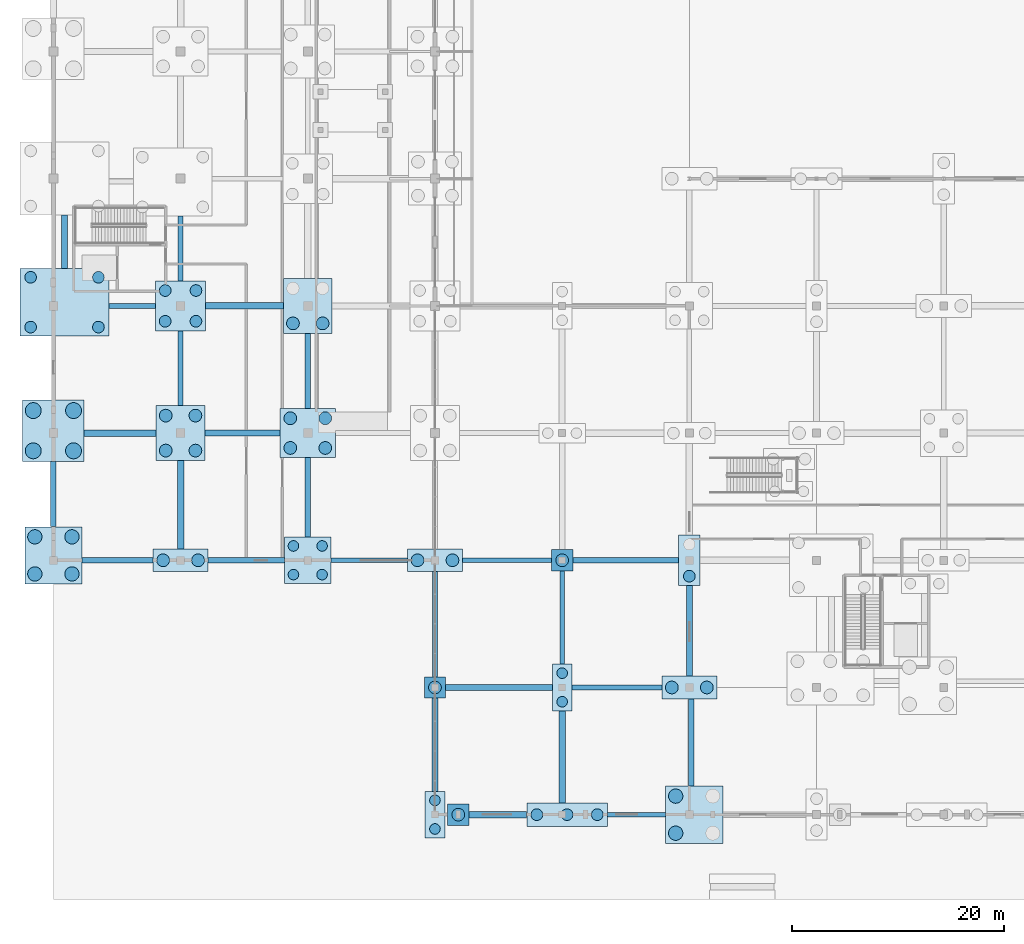
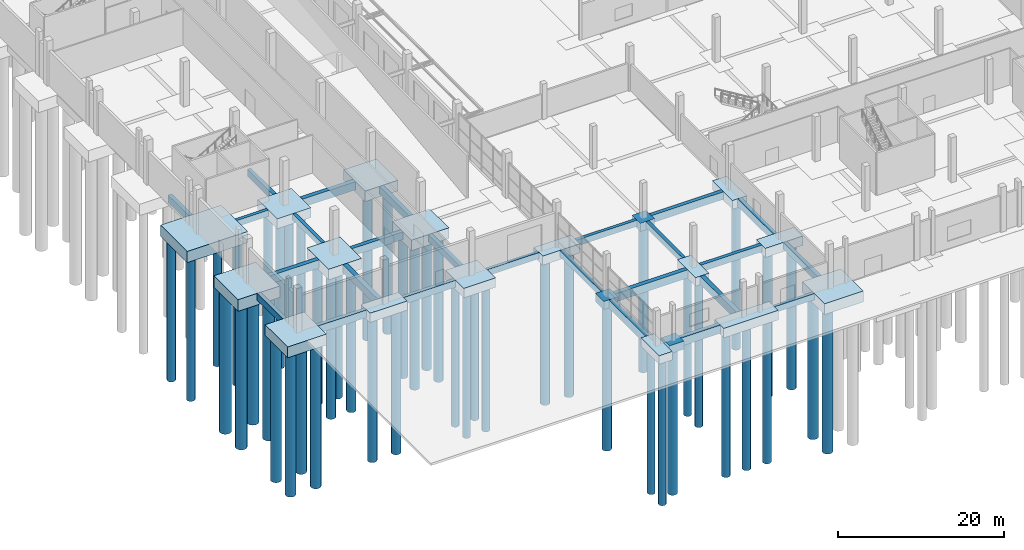
# One storey, part 1 of 117: 49 piles, 45 footings.
"""IFC4 building model written with IfcOpenShell, lengths in metres."""

import ifcopenshell
import ifcopenshell.guid

model = None  # the IFC model being written
_history = None  # IfcOwnerHistory: only IFC2X3 demands one
_inside = {}  # id of a spatial element -> (the spatial element, [elements in it])
_under = {}  # id of a project, library or spatial element -> (it, [spatial elements below it])
_declared = {}  # id of a project -> (the project, [libraries it declares])
_typed = {}  # id of a type object -> (the type object, [elements of that type])
_made_of = {}  # id of a material, layer set ... -> (it, [elements and type objects made of it])


def new_model(schema):
    """Start an empty IFC model of exactly this schema.

    Asked for "IFC4X3", IfcOpenShell would pick the latest addendum, in which some entities
    have other attributes; the version numbers below select the first issue.
    IFC2X3 requires an IfcOwnerHistory on every rooted entity: one is made here for all.
    """
    global model, _history
    if schema == "IFC4X3":
        model = ifcopenshell.file(schema_version=(4, 3, 0, 0))
    else:
        model = ifcopenshell.file(schema=schema)
    _inside.clear()
    _under.clear()
    _declared.clear()
    _typed.clear()
    _made_of.clear()
    _history = None
    if model.schema == "IFC2X3":
        org = make("IfcOrganization", Name="unknown")
        user = make(
            "IfcPersonAndOrganization",
            ThePerson=make("IfcPerson", FamilyName="unknown"),
            TheOrganization=org,
        )
        app = make(
            "IfcApplication",
            ApplicationDeveloper=org,
            Version="unknown",
            ApplicationFullName="unknown",
            ApplicationIdentifier="unknown",
        )
        _history = make(
            "IfcOwnerHistory",
            OwningUser=user,
            OwningApplication=app,
            ChangeAction="ADDED",
            CreationDate=0,
        )
    return model


def make(cls, **values):
    """One entity of the class cls with the attributes given. An attribute that is None is left unset."""
    return model.create_entity(
        cls, **{name: value for name, value in values.items() if value is not None}
    )


def rooted(cls, **values):
    """An entity with a GlobalId (a new one), such as an element, a storey or a relation."""
    return make(cls, GlobalId=ifcopenshell.guid.new(), OwnerHistory=_history, **values)


def si_unit(unit_type, name, prefix=None):
    """IfcSIUnit, for example si_unit("LENGTHUNIT", "METRE", prefix="MILLI")."""
    return make("IfcSIUnit", UnitType=unit_type, Prefix=prefix, Name=name)


def assignment(units):
    """IfcUnitAssignment: the units of a project."""
    return None if units is None else make("IfcUnitAssignment", Units=units)


def point(xyz):
    """IfcCartesianPoint."""
    return None if xyz is None else make("IfcCartesianPoint", Coordinates=xyz)


def direction(xyz):
    """IfcDirection."""
    return None if xyz is None else make("IfcDirection", DirectionRatios=xyz)


def frame(location, z_axis=None, x_axis=None):
    """IfcAxis2Placement3D, a coordinate frame: its origin and axes. An axis left out is left unset."""
    return make(
        "IfcAxis2Placement3D",
        Location=point(location),
        Axis=direction(z_axis),
        RefDirection=direction(x_axis),
    )


def frame_2d(location, x_axis=None):
    """IfcAxis2Placement2D, a coordinate frame in the plane: its origin and x axis."""
    return make(
        "IfcAxis2Placement2D", Location=point(location), RefDirection=direction(x_axis)
    )


def origin():
    """The frame at (0, 0, 0) with its axes left unset."""
    return frame((0.0, 0.0, 0.0))


def origin_2d():
    """The frame at (0, 0) in the plane with its x axis left unset."""
    return frame_2d((0.0, 0.0))


def place(relative_to, where):
    """IfcLocalPlacement: puts the frame where relative to a parent placement (None: the world)."""
    return make(
        "IfcLocalPlacement", PlacementRelTo=relative_to, RelativePlacement=where
    )


def context(
    kind, dimensions, precision=None, world=None, true_north=None, identifier=None
):
    """IfcGeometricRepresentationContext, for example the 3D "Model" context."""
    return make(
        "IfcGeometricRepresentationContext",
        ContextIdentifier=identifier,
        ContextType=kind,
        CoordinateSpaceDimension=dimensions,
        Precision=precision,
        WorldCoordinateSystem=world,
        TrueNorth=true_north,
    )


def subcontext(parent, identifier, kind, view, scale=None):
    """IfcGeometricRepresentationSubContext, for example "Body" below "Model"."""
    return make(
        "IfcGeometricRepresentationSubContext",
        ContextIdentifier=identifier,
        ContextType=kind,
        ParentContext=parent,
        TargetScale=scale,
        TargetView=view,
    )


def project(units=None, contexts=None):
    """IfcProject with its units and contexts."""
    return rooted(
        "IfcProject",
        Name="project",
        RepresentationContexts=contexts,
        UnitsInContext=assignment(units),
    )


def spatial(cls, under=None, at=None, **own):
    """A site, building, storey or space (cls), placed at a placement, below another one or the project."""
    s = rooted(cls, ObjectPlacement=at, **own)
    if under is not None:
        _under.setdefault(under.id(), (under, []))[1].append(s)
    return s


def profile(cls, at=None, kind="AREA", **sizes):
    """A parametric profile (cls). Its sizes go by their IFC names, for example OverallWidth=200.0."""
    return make(cls, ProfileType=kind, Position=at, **sizes)


def rectangle(**sizes):
    """IfcRectangleProfileDef."""
    return profile("IfcRectangleProfileDef", **sizes)


def circle(**sizes):
    """IfcCircleProfileDef."""
    return profile("IfcCircleProfileDef", **sizes)


def extrude(swept, where, along, depth):
    """IfcExtrudedAreaSolid: the profile swept, set in the frame where, extruded along a direction by depth."""
    return make(
        "IfcExtrudedAreaSolid",
        SweptArea=swept,
        Position=where,
        ExtrudedDirection=direction(along),
        Depth=depth,
    )


def shape(context_of_items, identifier, shape_type, items):
    """IfcShapeRepresentation: the items that make up one representation, for example the "Body"."""
    return make(
        "IfcShapeRepresentation",
        ContextOfItems=context_of_items,
        RepresentationIdentifier=identifier,
        RepresentationType=shape_type,
        Items=items,
    )


def material(Name=None, Category=None):
    """IfcMaterial."""
    return make("IfcMaterial", Name=Name, Category=Category)


def material_profile(
    of_material, cross_section, Name=None, Category=None, Priority=None
):
    """IfcMaterialProfile: a cross section and its material."""
    return make(
        "IfcMaterialProfile",
        Name=Name,
        Material=of_material,
        Profile=cross_section,
        Priority=Priority,
        Category=Category,
    )


def profile_set(profiles, Name=None, composite=None):
    """IfcMaterialProfileSet."""
    return make(
        "IfcMaterialProfileSet",
        Name=Name,
        MaterialProfiles=profiles,
        CompositeProfile=composite,
    )


def made_of(thing, what):
    """Note that an element or type object is made of a material, layer set ...; save() writes the relation."""
    if what is not None:
        _made_of.setdefault(what.id(), (what, []))[1].append(thing)
    return thing


def type_object(cls, material=None, **own):
    """A type object (cls), such as IfcWallType, which elements share."""
    return made_of(rooted(cls, **own), material)


def element(
    cls,
    number,
    at=None,
    inside=None,
    cuts=None,
    type_object=None,
    material=None,
    context=None,
    identifier="Body",
    shape_type=None,
    held_by="IfcProductDefinitionShape",
    body=None,
    shapes=None,
    **own,
):
    """One element of the class cls, such as IfcWall. Its Tag is "e" and its number.

    at: its placement. inside: the storey or other place that contains it. cuts: it is an
    opening in that element (IfcRelVoidsElement). A single representation is given by context,
    identifier, shape_type and body (its items); several are given by shapes. held_by: the class
    of the entity that holds the representations. save() writes the other relations.
    """
    e = rooted(cls, Tag="e%d" % number, ObjectPlacement=at, **own)
    if body is not None:
        shapes = [shape(context, identifier, shape_type, body)]
    if shapes is not None:
        e.Representation = make(held_by, Representations=shapes)
    if inside is not None:
        _inside.setdefault(inside.id(), (inside, []))[1].append(e)
    if cuts is not None:
        rooted(
            "IfcRelVoidsElement", RelatingBuildingElement=cuts, RelatedOpeningElement=e
        )
    if type_object is not None:
        _typed.setdefault(type_object.id(), (type_object, []))[1].append(e)
    return made_of(e, material)


def aggregate(whole, parts):
    """IfcRelAggregates: a whole, such as a stair, and the parts it consists of."""
    return rooted("IfcRelAggregates", RelatingObject=whole, RelatedObjects=parts)


def save(model, path):
    """Write the relations noted so far, then the file.

    IfcRelAggregates (storeys below a building ...), IfcRelContainedInSpatialStructure (elements
    in a storey), IfcRelDefinesByType, IfcRelAssociatesMaterial and IfcRelDeclares: one each for
    every whole, place, type object, material and project.
    """
    for whole, parts in _under.values():
        aggregate(whole, parts)
    for where, things in _inside.values():
        rooted(
            "IfcRelContainedInSpatialStructure",
            RelatedElements=things,
            RelatingStructure=where,
        )
    for kind, things in _typed.values():
        rooted("IfcRelDefinesByType", RelatedObjects=things, RelatingType=kind)
    for what, things in _made_of.values():
        rooted("IfcRelAssociatesMaterial", RelatedObjects=things, RelatingMaterial=what)
    for by, libraries in _declared.values():
        rooted("IfcRelDeclares", RelatingContext=by, RelatedDefinitions=libraries)
    model.write(path)


model = new_model("IFC4")

# Units and contexts
model_context = context("Model", 3, precision=1e-05, world=origin(), true_north=direction((0.0, 1.0)))
body_context = subcontext(model_context, "Body", "Model", "MODEL_VIEW")
ifc_project = project(units=[si_unit("LENGTHUNIT", "METRE"), si_unit("AREAUNIT", "SQUARE_METRE"), si_unit("VOLUMEUNIT", "CUBIC_METRE"), si_unit("PLANEANGLEUNIT", "RADIAN"), si_unit("MASSUNIT", "GRAM", prefix="KILO")], contexts=[model_context])

# Site, building, storey
site_placement = place(None, origin())
site = spatial("IfcSite", under=ifc_project, at=site_placement, CompositionType="ELEMENT")
building_placement = place(site_placement, origin())
building = spatial("IfcBuilding", under=site, at=building_placement, Name="Kamomehara Wholesale Market", CompositionType="ELEMENT")
storey_placement = place(building_placement, origin())
storey = spatial("IfcBuildingStorey", under=building, at=storey_placement, Name="L00", CompositionType="ELEMENT", Elevation=0.0)

# Footings
ifc_material_1 = material(Name="Concrete Fc30 (C30/37)", Category="concrete")
footing_type_1 = type_object("IfcFootingType", Name="CAP-1P-2000", PredefinedType="PILE_CAP", material=ifc_material_1)
for number, where, z_axis, x_axis, name in (
    (1, (36.0, 24.0, -1.2001953125), (0.0, 0.0, 1.0), (1.0, 0.0, 0.0), "Pile cap PC-03"),
    (2, (38.199951171875, 12.0, -1.2001953125), (0.0, 0.0, 1.0), (1.0, 0.0, 0.0), "Pile cap PC-03"),
    (3, (48.0, 36.0, -1.2001953125), (0.0, 0.0, 1.0), (1.0, 0.0, 0.0), "Pile cap PC-03"),
):
    element("IfcFooting", number, at=place(storey_placement, frame(where, z_axis=z_axis, x_axis=x_axis)), inside=storey, type_object=footing_type_1, Name=name, PredefinedType="PILE_CAP", context=body_context, shape_type="SweptSolid", body=[
        extrude(rectangle(XDim=2.0, YDim=2.0, at=origin_2d()), origin(), (0.0, 0.0, 1.0), 1.199951171875),
    ])
ifc_material_2 = material(Name="Concrete Fc30 (C30/37)", Category="concrete")
footing_type_2 = type_object("IfcFootingType", Name="CAP-2PX-5200", PredefinedType="PILE_CAP", material=ifc_material_2)
for number, where, z_axis, x_axis, name in (
    (4, (12.0, 36.0, -1.35009765625), (0.0, 0.0, 1.0), (1.0, 0.0, 0.0), "Pile cap PC-08"),
    (5, (36.0, 36.0, -1.35009765625), (0.0, 0.0, 1.0), (1.0, 0.0, 0.0), "Pile cap PC-08"),
    (6, (60.0, 24.0, -1.35009765625), (0.0, 0.0, 1.0), (1.0, 0.0, 0.0), "Pile cap PC-08"),
):
    element("IfcFooting", number, at=place(storey_placement, frame(where, z_axis=z_axis, x_axis=x_axis)), inside=storey, type_object=footing_type_2, Name=name, PredefinedType="PILE_CAP", context=body_context, shape_type="SweptSolid", body=[
        extrude(rectangle(XDim=5.199951171875, YDim=2.14990234375, at=origin_2d()), origin(), (0.0, 0.0, 1.0), 1.35009765625),
    ])
ifc_material_3 = material(Name="Concrete Fc30 (C30/37)", Category="concrete")
footing_type_3 = type_object("IfcFootingType", Name="CAP-2PY-4400", PredefinedType="PILE_CAP", material=ifc_material_3)
for number, where, z_axis, x_axis, name in (
    (7, (36.0, 12.0, -1.25), (0.0, 0.0, 1.0), (1.0, 0.0, 0.0), "Pile cap PC-05"),
    (8, (48.0, 24.0, -1.25), (0.0, 0.0, 1.0), (1.0, 0.0, 0.0), "Pile cap PC-05"),
):
    element("IfcFooting", number, at=place(storey_placement, frame(where, z_axis=z_axis, x_axis=x_axis)), inside=storey, type_object=footing_type_3, Name=name, PredefinedType="PILE_CAP", context=body_context, shape_type="SweptSolid", body=[
        extrude(rectangle(XDim=1.85009765625, YDim=4.39990234375, at=origin_2d()), origin(), (0.0, 0.0, 1.0), 1.25),
    ])
ifc_material_4 = material(Name="Concrete Fc30 (C30/37)", Category="concrete")
footing_type_4 = type_object("IfcFootingType", Name="CAP-2PY-4800", PredefinedType="PILE_CAP", material=ifc_material_4)
footing_1_placement = place(storey_placement, frame((60.0, 36.0, -1.2998046875), z_axis=(0.0, 0.0, 1.0), x_axis=(1.0, 0.0, 0.0)))
element("IfcFooting", 9, at=footing_1_placement, inside=storey, type_object=footing_type_4, Name="Pile cap PC-07", PredefinedType="PILE_CAP", context=body_context, shape_type="SweptSolid", body=[
    extrude(rectangle(XDim=2.0, YDim=4.800048828125, at=origin_2d()), origin(), (0.0, 0.0, 1.0), 1.300048828125),
])
ifc_material_5 = material(Name="Concrete Fc30 (C30/37)", Category="concrete")
footing_type_5 = type_object("IfcFootingType", Name="CAP-3PX-7600", PredefinedType="PILE_CAP", material=ifc_material_5)
footing_2_placement = place(storey_placement, frame((48.4619140625, 12.0, -1.39990234375), z_axis=(0.0, 0.0, 1.0), x_axis=(1.0, 0.0, 0.0)))
element("IfcFooting", 10, at=footing_2_placement, inside=storey, type_object=footing_type_5, Name="Pile cap PC-09", PredefinedType="PILE_CAP", context=body_context, shape_type="SweptSolid", body=[
    extrude(rectangle(XDim=7.60009765625, YDim=2.199951171875, at=origin_2d()), origin(), (0.0, 0.0, 1.0), 1.39990234375),
])
ifc_material_6 = material(Name="Concrete Fc30 (C30/37)", Category="concrete")
footing_type_6 = type_object("IfcFootingType", Name="CAP-4P-4400", PredefinedType="PILE_CAP", material=ifc_material_6)
footing_3_placement = place(storey_placement, frame((24.0, 36.0, -1.39990234375), z_axis=(0.0, 0.0, 1.0), x_axis=(1.0, 0.0, 0.0)))
element("IfcFooting", 11, at=footing_3_placement, inside=storey, type_object=footing_type_6, Name="Pile cap PC-10", PredefinedType="PILE_CAP", context=body_context, shape_type="SweptSolid", body=[
    extrude(rectangle(XDim=4.39990234375, YDim=4.39990234375, at=origin_2d()), origin(), (0.0, 0.0, 1.0), 1.39990234375),
])
ifc_material_7 = material(Name="Concrete Fc30 (C30/37)", Category="concrete")
footing_type_7 = type_object("IfcFootingType", Name="CAP-4P-4700", PredefinedType="PILE_CAP", material=ifc_material_7)
footing_4_placement = place(storey_placement, frame((12.0, 60.0, -1.4501953125), z_axis=(0.0, 0.0, 1.0), x_axis=(1.0, 0.0, 0.0)))
element("IfcFooting", 12, at=footing_4_placement, inside=storey, type_object=footing_type_7, Name="Pile cap PC-11", PredefinedType="PILE_CAP", context=body_context, shape_type="SweptSolid", body=[
    extrude(rectangle(XDim=4.699951171875, YDim=4.699951171875, at=origin_2d()), origin(), (0.0, 0.0, 1.0), 1.449951171875),
])
ifc_material_8 = material(Name="Concrete Fc30 (C30/37)", Category="concrete")
footing_type_8 = type_object("IfcFootingType", Name="CAP-4P-5400", PredefinedType="PILE_CAP", material=ifc_material_8)
for number, where, z_axis, x_axis, name in (
    (13, (0.0, 36.4619140625, -1.60009765625), (0.0, 0.0, 1.0), (1.0, 0.0, 0.0), "Pile cap PC-13"),
    (14, (60.4619140625, 12.0, -1.60009765625), (0.0, 0.0, 1.0), (1.0, 0.0, 0.0), "Pile cap PC-13"),
):
    element("IfcFooting", number, at=place(storey_placement, frame(where, z_axis=z_axis, x_axis=x_axis)), inside=storey, type_object=footing_type_8, Name=name, PredefinedType="PILE_CAP", context=body_context, shape_type="SweptSolid", body=[
        extrude(rectangle(XDim=5.39990234375, YDim=5.39990234375, at=origin_2d()), origin(), (0.0, 0.0, 1.0), 1.60009765625),
    ])
ifc_material_9 = material(Name="Concrete Fc30 (C30/37)", Category="concrete")
footing_type_9 = type_object("IfcFootingType", Name="CAP-4P-5800", PredefinedType="PILE_CAP", material=ifc_material_9)
footing_5_placement = place(storey_placement, frame((0.0, 48.22509765625, -1.7001953125), z_axis=(0.0, 0.0, 1.0), x_axis=(1.0, 0.0, 0.0)))
element("IfcFooting", 15, at=footing_5_placement, inside=storey, type_object=footing_type_9, Name="Pile cap PC-14", PredefinedType="PILE_CAP", context=body_context, shape_type="SweptSolid", body=[
    extrude(rectangle(XDim=5.800048828125, YDim=5.800048828125, at=origin_2d()), origin(), (0.0, 0.0, 1.0), 1.699951171875),
])
ifc_material_10 = material(Name="Concrete Fc30 (C30/37)", Category="concrete")
footing_type_10 = type_object("IfcFootingType", Name="CAP-4PR-4600", PredefinedType="PILE_CAP", material=ifc_material_10)
for number, where, z_axis, x_axis, name in (
    (16, (12.0, 48.0, -1.5498046875), (0.0, 0.0, 1.0), (1.0, 0.0, 0.0), "Pile cap PC-16"),
    (17, (24.0, 60.0, -1.5498046875), (0.0, 0.0, 1.0), (1.0, 0.0, 0.0), "Pile cap PC-16"),
):
    element("IfcFooting", number, at=place(storey_placement, frame(where, z_axis=z_axis, x_axis=x_axis)), inside=storey, type_object=footing_type_10, Name=name, PredefinedType="PILE_CAP", context=body_context, shape_type="SweptSolid", body=[
        extrude(rectangle(XDim=4.60009765625, YDim=5.199951171875, at=origin_2d()), origin(), (0.0, 0.0, 1.0), 1.550048828125),
    ])
ifc_material_11 = material(Name="Concrete Fc30 (C30/37)", Category="concrete")
footing_type_11 = type_object("IfcFootingType", Name="CAP-4PR-5200", PredefinedType="PILE_CAP", material=ifc_material_11)
footing_6_placement = place(storey_placement, frame((24.0, 48.0, -1.5498046875), z_axis=(0.0, 0.0, 1.0), x_axis=(1.0, 0.0, 0.0)))
element("IfcFooting", 18, at=footing_6_placement, inside=storey, type_object=footing_type_11, Name="Pile cap PC-15", PredefinedType="PILE_CAP", context=body_context, shape_type="SweptSolid", body=[
    extrude(rectangle(XDim=5.199951171875, YDim=4.60009765625, at=origin_2d()), origin(), (0.0, 0.0, 1.0), 1.550048828125),
])
ifc_material_12 = material(Name="Concrete Fc30 (C30/37)", Category="concrete")
footing_type_12 = type_object("IfcFootingType", Name="CAP-CMB-840x640", PredefinedType="PILE_CAP", material=ifc_material_12)
footing_7_placement = place(storey_placement, frame((1.050048828125, 60.35009765625, -1.64990234375), z_axis=(0.0, 0.0, 1.0), x_axis=(1.0, 0.0, 0.0)))
element("IfcFooting", 19, at=footing_7_placement, inside=storey, type_object=footing_type_12, Name="Pile cap PCC-84x64", PredefinedType="PILE_CAP", context=body_context, shape_type="SweptSolid", body=[
    extrude(rectangle(XDim=8.39990234375, YDim=6.39990234375, at=origin_2d()), origin(), (0.0, 0.0, 1.0), 1.64990234375),
])
ifc_material_13 = material(Name="Concrete Fc30 (C30/37)", Category="concrete")
ifc_material_profile_1 = material_profile(ifc_material_13, rectangle(XDim=0.449951171875, YDim=0.89990234375, at=origin_2d()), Name="RC-FTB-450x900")
ifc_profile_set_1 = profile_set([ifc_material_profile_1], Name="Concrete Fc30 (C30/37)")
footing_type_13 = type_object("IfcFootingType", Name="FTB-450x900", PredefinedType="FOOTING_BEAM", material=ifc_profile_set_1)
footing_8_placement = place(storey_placement, frame((5.251953125, 60.0, -0.449951171875), z_axis=(1.0, 0.0, 0.0), x_axis=(0.0, 1.0, 0.0)))
element("IfcFooting", 20, at=footing_8_placement, inside=storey, type_object=footing_type_13, Name="Foundation tie beam 3", PredefinedType="FOOTING_BEAM", context=body_context, shape_type="SweptSolid", body=[
    extrude(rectangle(XDim=0.449951171875, YDim=0.89990234375, at=origin_2d()), origin(), (0.0, 0.0, 1.0), 4.39599609375),
])
footing_9_placement = place(storey_placement, frame((26.201904296875, 36.0, -0.449951171875), z_axis=(1.0, 0.0, 0.0), x_axis=(0.0, 1.0, 0.0)))
element("IfcFooting", 21, at=footing_9_placement, inside=storey, type_object=footing_type_13, Name="Foundation tie beam 23", PredefinedType="FOOTING_BEAM", context=body_context, shape_type="SweptSolid", body=[
    extrude(rectangle(XDim=0.449951171875, YDim=0.89990234375, at=origin_2d()), origin(), (0.0, 0.0, 1.0), 7.196044921875),
])
footing_10_placement = place(storey_placement, frame((38.60205078125, 36.0, -0.449951171875), z_axis=(1.0, 0.0, 0.0), x_axis=(0.0, 1.0, 0.0)))
element("IfcFooting", 22, at=footing_10_placement, inside=storey, type_object=footing_type_13, Name="Foundation tie beam 35", PredefinedType="FOOTING_BEAM", context=body_context, shape_type="SweptSolid", body=[
    extrude(rectangle(XDim=0.449951171875, YDim=0.89990234375, at=origin_2d()), origin(), (0.0, 0.0, 1.0), 8.39599609375),
])
footing_11_placement = place(storey_placement, frame((52.263916015625, 12.0, -0.449951171875), z_axis=(1.0, 0.0, 0.0), x_axis=(0.0, 1.0, 0.0)))
element("IfcFooting", 23, at=footing_11_placement, inside=storey, type_object=footing_type_13, Name="Foundation tie beam 43", PredefinedType="FOOTING_BEAM", context=body_context, shape_type="SweptSolid", body=[
    extrude(rectangle(XDim=0.449951171875, YDim=0.89990234375, at=origin_2d()), origin(), (0.0, 0.0, 1.0), 5.49609375),
])
footing_12_placement = place(storey_placement, frame((12.0, 50.60205078125, -0.449951171875), z_axis=(0.0, 1.0, 0.0), x_axis=(-1.0, 0.0, 0.0)))
element("IfcFooting", 24, at=footing_12_placement, inside=storey, type_object=footing_type_13, Name="Foundation tie beam 211", PredefinedType="FOOTING_BEAM", context=body_context, shape_type="SweptSolid", body=[
    extrude(rectangle(XDim=0.449951171875, YDim=0.89990234375, at=origin_2d()), origin(), (0.0, 0.0, 1.0), 7.0458984375),
])
footing_13_placement = place(storey_placement, frame((36.0, 25.001953125, -0.449951171875), z_axis=(0.0, 1.0, 0.0), x_axis=(-1.0, 0.0, 0.0)))
element("IfcFooting", 25, at=footing_13_placement, inside=storey, type_object=footing_type_13, Name="Foundation tie beam 231", PredefinedType="FOOTING_BEAM", context=body_context, shape_type="SweptSolid", body=[
    extrude(rectangle(XDim=0.449951171875, YDim=0.89990234375, at=origin_2d()), origin(), (0.0, 0.0, 1.0), 9.921142578125),
])
footing_14_placement = place(storey_placement, frame((48.0, 26.201904296875, -0.449951171875), z_axis=(0.0, 1.0, 0.0), x_axis=(-1.0, 0.0, 0.0)))
element("IfcFooting", 26, at=footing_14_placement, inside=storey, type_object=footing_type_13, Name="Foundation tie beam 243", PredefinedType="FOOTING_BEAM", context=body_context, shape_type="SweptSolid", body=[
    extrude(rectangle(XDim=0.449951171875, YDim=0.89990234375, at=origin_2d()), origin(), (0.0, 0.0, 1.0), 8.796142578125),
])
ifc_material_14 = material(Name="Concrete Fc30 (C30/37)", Category="concrete")
ifc_material_profile_2 = material_profile(ifc_material_14, rectangle(XDim=0.5, YDim=1.0, at=origin_2d()), Name="RC-FTB-500x1000")
ifc_profile_set_2 = profile_set([ifc_material_profile_2], Name="Concrete Fc30 (C30/37)")
footing_type_14 = type_object("IfcFootingType", Name="FTB-500x1000", PredefinedType="FOOTING_BEAM", material=ifc_profile_set_2)
footing_15_placement = place(storey_placement, frame((14.60205078125, 36.0, -0.5), z_axis=(1.0, 0.0, 0.0), x_axis=(0.0, 1.0, 0.0)))
element("IfcFooting", 27, at=footing_15_placement, inside=storey, type_object=footing_type_14, Name="Foundation tie beam 12", PredefinedType="FOOTING_BEAM", context=body_context, shape_type="SweptSolid", body=[
    extrude(rectangle(XDim=0.5, YDim=1.0, at=origin_2d()), origin(), (0.0, 0.0, 1.0), 7.196044921875),
])
footing_16_placement = place(storey_placement, frame((48.927001953125, 24.0, -0.5), z_axis=(1.0, 0.0, 0.0), x_axis=(0.0, 1.0, 0.0)))
element("IfcFooting", 28, at=footing_16_placement, inside=storey, type_object=footing_type_14, Name="Foundation tie beam 44", PredefinedType="FOOTING_BEAM", context=body_context, shape_type="SweptSolid", body=[
    extrude(rectangle(XDim=0.5, YDim=1.0, at=origin_2d()), origin(), (0.0, 0.0, 1.0), 8.470947265625),
])
footing_17_placement = place(storey_placement, frame((0.0, 39.1640625, -0.5), z_axis=(0.0, 1.0, 0.0), x_axis=(-1.0, 0.0, 0.0)))
element("IfcFooting", 29, at=footing_17_placement, inside=storey, type_object=footing_type_14, Name="Foundation tie beam 204", PredefinedType="FOOTING_BEAM", context=body_context, shape_type="SweptSolid", body=[
    extrude(rectangle(XDim=0.5, YDim=1.0, at=origin_2d()), origin(), (0.0, 0.0, 1.0), 6.158935546875),
])
footing_18_placement = place(storey_placement, frame((12.0, 62.35205078125, -0.5), z_axis=(0.0, 1.0, 0.0), x_axis=(-1.0, 0.0, 0.0)))
element("IfcFooting", 30, at=footing_18_placement, inside=storey, type_object=footing_type_14, Name="Foundation tie beam 212", PredefinedType="FOOTING_BEAM", context=body_context, shape_type="SweptSolid", body=[
    extrude(rectangle(XDim=0.5, YDim=1.0, at=origin_2d()), origin(), (0.0, 0.0, 1.0), 6.134033203125),
])
footing_19_placement = place(storey_placement, frame((24.0, 38.201904296875, -0.5), z_axis=(0.0, 1.0, 0.0), x_axis=(-1.0, 0.0, 0.0)))
element("IfcFooting", 31, at=footing_19_placement, inside=storey, type_object=footing_type_14, Name="Foundation tie beam 220", PredefinedType="FOOTING_BEAM", context=body_context, shape_type="SweptSolid", body=[
    extrude(rectangle(XDim=0.5, YDim=1.0, at=origin_2d()), origin(), (0.0, 0.0, 1.0), 7.49609375),
])
footing_20_placement = place(storey_placement, frame((60.180908203125, 14.701904296875, -0.5), z_axis=(0.0, 1.0, 0.0), x_axis=(-1.0, 0.0, 0.0)))
element("IfcFooting", 32, at=footing_20_placement, inside=storey, type_object=footing_type_14, Name="Foundation tie beam 248", PredefinedType="FOOTING_BEAM", context=body_context, shape_type="SweptSolid", body=[
    extrude(rectangle(XDim=0.5, YDim=1.0, at=origin_2d()), origin(), (0.0, 0.0, 1.0), 8.22119140625),
])
ifc_material_15 = material(Name="Concrete Fc30 (C30/37)", Category="concrete")
ifc_material_profile_3 = material_profile(ifc_material_15, rectangle(XDim=0.550048828125, YDim=1.10009765625, at=origin_2d()), Name="RC-FTB-550x1100")
ifc_profile_set_3 = profile_set([ifc_material_profile_3], Name="Concrete Fc30 (C30/37)")
footing_type_15 = type_object("IfcFootingType", Name="FTB-550x1100", PredefinedType="FOOTING_BEAM", material=ifc_profile_set_3)
footing_21_placement = place(storey_placement, frame((2.701904296875, 36.0, -0.550048828125), z_axis=(1.0, 0.0, 0.0), x_axis=(0.0, 1.0, 0.0)))
element("IfcFooting", 33, at=footing_21_placement, inside=storey, type_object=footing_type_15, Name="Foundation tie beam 1", PredefinedType="FOOTING_BEAM", context=body_context, shape_type="SweptSolid", body=[
    extrude(rectangle(XDim=0.550048828125, YDim=1.10009765625, at=origin_2d()), origin(), (0.0, 0.0, 1.0), 6.696044921875),
])
footing_22_placement = place(storey_placement, frame((14.302001953125, 48.0, -0.550048828125), z_axis=(1.0, 0.0, 0.0), x_axis=(0.0, 1.0, 0.0)))
element("IfcFooting", 34, at=footing_22_placement, inside=storey, type_object=footing_type_15, Name="Foundation tie beam 13", PredefinedType="FOOTING_BEAM", context=body_context, shape_type="SweptSolid", body=[
    extrude(rectangle(XDim=0.550048828125, YDim=1.10009765625, at=origin_2d()), origin(), (0.0, 0.0, 1.0), 7.095947265625),
])
footing_23_placement = place(storey_placement, frame((49.001953125, 36.0, -0.550048828125), z_axis=(1.0, 0.0, 0.0), x_axis=(0.0, 1.0, 0.0)))
element("IfcFooting", 35, at=footing_23_placement, inside=storey, type_object=footing_type_15, Name="Foundation tie beam 45", PredefinedType="FOOTING_BEAM", context=body_context, shape_type="SweptSolid", body=[
    extrude(rectangle(XDim=0.550048828125, YDim=1.10009765625, at=origin_2d()), origin(), (0.0, 0.0, 1.0), 9.99609375),
])
footing_24_placement = place(storey_placement, frame((1.050048828125, 63.552001953125, -0.550048828125), z_axis=(0.0, 1.0, 0.0), x_axis=(-1.0, 0.0, 0.0)))
element("IfcFooting", 36, at=footing_24_placement, inside=storey, type_object=footing_type_15, Name="Foundation tie beam 205", PredefinedType="FOOTING_BEAM", context=body_context, shape_type="SweptSolid", body=[
    extrude(rectangle(XDim=0.550048828125, YDim=1.10009765625, at=origin_2d()), origin(), (0.0, 0.0, 1.0), 5.014892578125),
])
footing_25_placement = place(storey_placement, frame((24.0, 50.302001953125, -0.550048828125), z_axis=(0.0, 1.0, 0.0), x_axis=(-1.0, 0.0, 0.0)))
element("IfcFooting", 37, at=footing_25_placement, inside=storey, type_object=footing_type_15, Name="Foundation tie beam 221", PredefinedType="FOOTING_BEAM", context=body_context, shape_type="SweptSolid", body=[
    extrude(rectangle(XDim=0.550048828125, YDim=1.10009765625, at=origin_2d()), origin(), (0.0, 0.0, 1.0), 7.095947265625),
])
footing_26_placement = place(storey_placement, frame((60.0, 25.076904296875, -0.550048828125), z_axis=(0.0, 1.0, 0.0), x_axis=(-1.0, 0.0, 0.0)))
element("IfcFooting", 38, at=footing_26_placement, inside=storey, type_object=footing_type_15, Name="Foundation tie beam 249", PredefinedType="FOOTING_BEAM", context=body_context, shape_type="SweptSolid", body=[
    extrude(rectangle(XDim=0.550048828125, YDim=1.10009765625, at=origin_2d()), origin(), (0.0, 0.0, 1.0), 8.52099609375),
])
ifc_material_16 = material(Name="Concrete Fc30 (C30/37)", Category="concrete")
ifc_material_profile_4 = material_profile(ifc_material_16, rectangle(XDim=0.60009765625, YDim=1.199951171875, at=origin_2d()), Name="RC-FTB-600x1200")
ifc_profile_set_4 = profile_set([ifc_material_profile_4], Name="Concrete Fc30 (C30/37)")
footing_type_16 = type_object("IfcFootingType", Name="FTB-600x1200", PredefinedType="FOOTING_BEAM", material=ifc_profile_set_4)
footing_27_placement = place(storey_placement, frame((2.902099609375, 48.0, -0.60009765625), z_axis=(1.0, 0.0, 0.0), x_axis=(0.0, 1.0, 0.0)))
element("IfcFooting", 39, at=footing_27_placement, inside=storey, type_object=footing_type_16, Name="Foundation tie beam 2", PredefinedType="FOOTING_BEAM", context=body_context, shape_type="SweptSolid", body=[
    extrude(rectangle(XDim=0.60009765625, YDim=1.199951171875, at=origin_2d()), origin(), (0.0, 0.0, 1.0), 6.7958984375),
])
footing_28_placement = place(storey_placement, frame((14.35205078125, 60.0, -0.60009765625), z_axis=(1.0, 0.0, 0.0), x_axis=(0.0, 1.0, 0.0)))
element("IfcFooting", 40, at=footing_28_placement, inside=storey, type_object=footing_type_16, Name="Foundation tie beam 14", PredefinedType="FOOTING_BEAM", context=body_context, shape_type="SweptSolid", body=[
    extrude(rectangle(XDim=0.60009765625, YDim=1.199951171875, at=origin_2d()), origin(), (0.0, 0.0, 1.0), 7.345947265625),
])
footing_29_placement = place(storey_placement, frame((37.001953125, 24.0, -0.60009765625), z_axis=(1.0, 0.0, 0.0), x_axis=(0.0, 1.0, 0.0)))
element("IfcFooting", 41, at=footing_29_placement, inside=storey, type_object=footing_type_16, Name="Foundation tie beam 34", PredefinedType="FOOTING_BEAM", context=body_context, shape_type="SweptSolid", body=[
    extrude(rectangle(XDim=0.60009765625, YDim=1.199951171875, at=origin_2d()), origin(), (0.0, 0.0, 1.0), 10.071044921875),
])
footing_30_placement = place(storey_placement, frame((39.201904296875, 12.0, -0.60009765625), z_axis=(1.0, 0.0, 0.0), x_axis=(0.0, 1.0, 0.0)))
element("IfcFooting", 42, at=footing_30_placement, inside=storey, type_object=footing_type_16, Name="Foundation tie beam 42", PredefinedType="FOOTING_BEAM", context=body_context, shape_type="SweptSolid", body=[
    extrude(rectangle(XDim=0.60009765625, YDim=1.199951171875, at=origin_2d()), origin(), (0.0, 0.0, 1.0), 5.4580078125),
])
footing_31_placement = place(storey_placement, frame((12.0, 37.076904296875, -0.60009765625), z_axis=(0.0, 1.0, 0.0), x_axis=(-1.0, 0.0, 0.0)))
element("IfcFooting", 43, at=footing_31_placement, inside=storey, type_object=footing_type_16, Name="Foundation tie beam 210", PredefinedType="FOOTING_BEAM", context=body_context, shape_type="SweptSolid", body=[
    extrude(rectangle(XDim=0.60009765625, YDim=1.199951171875, at=origin_2d()), origin(), (0.0, 0.0, 1.0), 8.321044921875),
])
footing_32_placement = place(storey_placement, frame((36.0, 14.201904296875, -0.60009765625), z_axis=(0.0, 1.0, 0.0), x_axis=(-1.0, 0.0, 0.0)))
element("IfcFooting", 44, at=footing_32_placement, inside=storey, type_object=footing_type_16, Name="Foundation tie beam 230", PredefinedType="FOOTING_BEAM", context=body_context, shape_type="SweptSolid", body=[
    extrude(rectangle(XDim=0.60009765625, YDim=1.199951171875, at=origin_2d()), origin(), (0.0, 0.0, 1.0), 8.796142578125),
])
footing_33_placement = place(storey_placement, frame((48.0, 13.10205078125, -0.60009765625), z_axis=(0.0, 1.0, 0.0), x_axis=(-1.0, 0.0, 0.0)))
element("IfcFooting", 45, at=footing_33_placement, inside=storey, type_object=footing_type_16, Name="Foundation tie beam 242", PredefinedType="FOOTING_BEAM", context=body_context, shape_type="SweptSolid", body=[
    extrude(rectangle(XDim=0.60009765625, YDim=1.199951171875, at=origin_2d()), origin(), (0.0, 0.0, 1.0), 8.696044921875),
])

# Piles
ifc_material_17 = material(Name="Concrete Fc30 (C30/37)", Category="concrete")
ifc_material_profile_5 = material_profile(ifc_material_17, circle(Radius=0.5, at=origin_2d()), Name="RC-PILE-D1000")
ifc_profile_set_5 = profile_set([ifc_material_profile_5], Name="Concrete Fc30 (C30/37)")
pile_type_1 = type_object("IfcPileType", Name="PILE-D1000", PredefinedType="BORED", material=ifc_profile_set_5)
for number, where, z_axis, x_axis, name in (
    (46, (22.64990234375, 34.64990234375, -1.300048828125), (0.0, 0.0, -1.0), (1.0, 0.0, 0.0), "Bored pile 23.85"),
    (47, (25.35009765625, 34.64990234375, -1.300048828125), (0.0, 0.0, -1.0), (1.0, 0.0, 0.0), "Bored pile 23.86"),
    (48, (22.64990234375, 37.35009765625, -1.300048828125), (0.0, 0.0, -1.0), (1.0, 0.0, 0.0), "Bored pile 23.87"),
    (49, (25.35009765625, 37.35009765625, -1.300048828125), (0.0, 0.0, -1.0), (1.0, 0.0, 0.0), "Bored pile 23.88"),
):
    element("IfcPile", number, at=place(storey_placement, frame(where, z_axis=z_axis, x_axis=x_axis)), inside=storey, type_object=pile_type_1, Name=name, PredefinedType="BORED", context=body_context, shape_type="SweptSolid", body=[
        extrude(circle(Radius=0.5, at=origin_2d()), origin(), (0.0, 0.0, 1.0), 21.199951171875),
    ])
for number, where, z_axis, x_axis, name in (
    (50, (36.0, 10.64990234375, -1.14990234375), (0.0, 0.0, -1.0), (1.0, 0.0, 0.0), "Bored pile 34.127"),
    (51, (36.0, 13.35009765625, -1.14990234375), (0.0, 0.0, -1.0), (1.0, 0.0, 0.0), "Bored pile 34.128"),
    (52, (48.0, 22.64990234375, -1.14990234375), (0.0, 0.0, -1.0), (1.0, 0.0, 0.0), "Bored pile 49.174"),
    (53, (48.0, 25.35009765625, -1.14990234375), (0.0, 0.0, -1.0), (1.0, 0.0, 0.0), "Bored pile 49.175"),
):
    element("IfcPile", number, at=place(storey_placement, frame(where, z_axis=z_axis, x_axis=x_axis)), inside=storey, type_object=pile_type_1, Name=name, PredefinedType="BORED", context=body_context, shape_type="SweptSolid", body=[
        extrude(circle(Radius=0.5, at=origin_2d()), origin(), (0.0, 0.0, 1.0), 21.35009765625),
    ])
ifc_material_18 = material(Name="Concrete Fc30 (C30/37)", Category="concrete")
ifc_material_profile_6 = material_profile(ifc_material_18, circle(Radius=0.550048828125, at=origin_2d()), Name="RC-PILE-D1100")
ifc_profile_set_6 = profile_set([ifc_material_profile_6], Name="Concrete Fc30 (C30/37)")
pile_type_2 = type_object("IfcPileType", Name="PILE-D1100", PredefinedType="BORED", material=ifc_profile_set_6)
for number, where, z_axis, x_axis, name in (
    (54, (-2.14990234375, 58.0, -1.550048828125), (0.0, 0.0, -1.0), (1.0, 0.0, 0.0), "Bored pile 3.9"),
    (55, (4.25, 58.0, -1.550048828125), (0.0, 0.0, -1.0), (1.0, 0.0, 0.0), "Bored pile 3.10"),
    (56, (-2.14990234375, 62.699951171875, -1.550048828125), (0.0, 0.0, -1.0), (1.0, 0.0, 0.0), "Bored pile 3.11"),
    (57, (4.25, 62.699951171875, -1.550048828125), (0.0, 0.0, -1.0), (1.0, 0.0, 0.0), "Bored pile 3.12"),
):
    element("IfcPile", number, at=place(storey_placement, frame(where, z_axis=z_axis, x_axis=x_axis)), inside=storey, type_object=pile_type_2, Name=name, PredefinedType="BORED", context=body_context, shape_type="SweptSolid", body=[
        extrude(circle(Radius=0.550048828125, at=origin_2d()), origin(), (0.0, 0.0, 1.0), 20.949951171875),
    ])
for number, where, z_axis, x_axis, name in (
    (58, (10.550048828125, 58.550048828125, -1.35009765625), (0.0, 0.0, -1.0), (1.0, 0.0, 0.0), "Bored pile 14.51"),
    (59, (13.449951171875, 58.550048828125, -1.35009765625), (0.0, 0.0, -1.0), (1.0, 0.0, 0.0), "Bored pile 14.52"),
    (60, (10.550048828125, 61.449951171875, -1.35009765625), (0.0, 0.0, -1.0), (1.0, 0.0, 0.0), "Bored pile 14.53"),
    (61, (13.449951171875, 61.449951171875, -1.35009765625), (0.0, 0.0, -1.0), (1.0, 0.0, 0.0), "Bored pile 14.54"),
):
    element("IfcPile", number, at=place(storey_placement, frame(where, z_axis=z_axis, x_axis=x_axis)), inside=storey, type_object=pile_type_2, Name=name, PredefinedType="BORED", context=body_context, shape_type="SweptSolid", body=[
        extrude(circle(Radius=0.550048828125, at=origin_2d()), origin(), (0.0, 0.0, 1.0), 21.14990234375),
    ])
for number, where, z_axis, x_axis, name in (
    (62, (45.612060546875, 12.0, -1.300048828125), (0.0, 0.0, -1.0), (1.0, 0.0, 0.0), "Bored pile 48.171"),
    (63, (48.4619140625, 12.0, -1.300048828125), (0.0, 0.0, -1.0), (1.0, 0.0, 0.0), "Bored pile 48.172"),
    (64, (51.31201171875, 12.0, -1.300048828125), (0.0, 0.0, -1.0), (1.0, 0.0, 0.0), "Bored pile 48.173"),
):
    element("IfcPile", number, at=place(storey_placement, frame(where, z_axis=z_axis, x_axis=x_axis)), inside=storey, type_object=pile_type_2, Name=name, PredefinedType="BORED", context=body_context, shape_type="SweptSolid", body=[
        extrude(circle(Radius=0.550048828125, at=origin_2d()), origin(), (0.0, 0.0, 1.0), 21.199951171875),
    ])
pile_1_placement = place(storey_placement, frame((60.0, 34.5, -1.199951171875), z_axis=(0.0, 0.0, -1.0), x_axis=(1.0, 0.0, 0.0)))
element("IfcPile", 65, at=pile_1_placement, inside=storey, type_object=pile_type_2, Name="Bored pile 60.203", PredefinedType="BORED", context=body_context, shape_type="SweptSolid", body=[
    extrude(circle(Radius=0.550048828125, at=origin_2d()), origin(), (0.0, 0.0, 1.0), 21.300048828125),
])
ifc_material_19 = material(Name="Concrete Fc30 (C30/37)", Category="concrete")
ifc_material_profile_7 = material_profile(ifc_material_19, circle(Radius=0.60009765625, at=origin_2d()), Name="RC-PILE-D1200")
ifc_profile_set_7 = profile_set([ifc_material_profile_7], Name="Concrete Fc30 (C30/37)")
pile_type_3 = type_object("IfcPileType", Name="PILE-D1200", PredefinedType="BORED", material=ifc_profile_set_7)
for number, where, z_axis, x_axis, name in (
    (66, (10.35009765625, 36.0, -1.25), (0.0, 0.0, -1.0), (1.0, 0.0, 0.0), "Bored pile 12.45"),
    (67, (13.64990234375, 36.0, -1.25), (0.0, 0.0, -1.0), (1.0, 0.0, 0.0), "Bored pile 12.46"),
):
    element("IfcPile", number, at=place(storey_placement, frame(where, z_axis=z_axis, x_axis=x_axis)), inside=storey, type_object=pile_type_3, Name=name, PredefinedType="BORED", context=body_context, shape_type="SweptSolid", body=[
        extrude(circle(Radius=0.60009765625, at=origin_2d()), origin(), (0.0, 0.0, 1.0), 21.25),
    ])
for number, where, z_axis, x_axis, name in (
    (68, (10.60009765625, 46.35009765625, -1.449951171875), (0.0, 0.0, -1.0), (1.0, 0.0, 0.0), "Bored pile 13.47"),
    (69, (13.39990234375, 46.35009765625, -1.449951171875), (0.0, 0.0, -1.0), (1.0, 0.0, 0.0), "Bored pile 13.48"),
    (70, (10.60009765625, 49.64990234375, -1.449951171875), (0.0, 0.0, -1.0), (1.0, 0.0, 0.0), "Bored pile 13.49"),
    (71, (13.39990234375, 49.64990234375, -1.449951171875), (0.0, 0.0, -1.0), (1.0, 0.0, 0.0), "Bored pile 13.50"),
    (72, (22.35009765625, 46.60009765625, -1.449951171875), (0.0, 0.0, -1.0), (1.0, 0.0, 0.0), "Bored pile 24.89"),
    (73, (25.64990234375, 46.60009765625, -1.449951171875), (0.0, 0.0, -1.0), (1.0, 0.0, 0.0), "Bored pile 24.90"),
    (74, (22.35009765625, 49.39990234375, -1.449951171875), (0.0, 0.0, -1.0), (1.0, 0.0, 0.0), "Bored pile 24.91"),
    (75, (25.64990234375, 49.39990234375, -1.449951171875), (0.0, 0.0, -1.0), (1.0, 0.0, 0.0), "Bored pile 24.92"),
    (76, (22.60009765625, 58.35009765625, -1.449951171875), (0.0, 0.0, -1.0), (1.0, 0.0, 0.0), "Bored pile 25.93"),
    (77, (25.39990234375, 58.35009765625, -1.449951171875), (0.0, 0.0, -1.0), (1.0, 0.0, 0.0), "Bored pile 25.94"),
):
    element("IfcPile", number, at=place(storey_placement, frame(where, z_axis=z_axis, x_axis=x_axis)), inside=storey, type_object=pile_type_3, Name=name, PredefinedType="BORED", context=body_context, shape_type="SweptSolid", body=[
        extrude(circle(Radius=0.60009765625, at=origin_2d()), origin(), (0.0, 0.0, 1.0), 21.050048828125),
    ])
pile_2_placement = place(storey_placement, frame((36.0, 24.0, -1.10009765625), z_axis=(0.0, 0.0, -1.0), x_axis=(1.0, 0.0, 0.0)))
element("IfcPile", 78, at=pile_2_placement, inside=storey, type_object=pile_type_3, Name="Bored pile 35.129", PredefinedType="BORED", context=body_context, shape_type="SweptSolid", body=[
    extrude(circle(Radius=0.60009765625, at=origin_2d()), origin(), (0.0, 0.0, 1.0), 21.39990234375),
])
for number, where, z_axis, x_axis, name in (
    (79, (34.35009765625, 36.0, -1.25), (0.0, 0.0, -1.0), (1.0, 0.0, 0.0), "Bored pile 36.130"),
    (80, (37.64990234375, 36.0, -1.25), (0.0, 0.0, -1.0), (1.0, 0.0, 0.0), "Bored pile 36.131"),
):
    element("IfcPile", number, at=place(storey_placement, frame(where, z_axis=z_axis, x_axis=x_axis)), inside=storey, type_object=pile_type_3, Name=name, PredefinedType="BORED", context=body_context, shape_type="SweptSolid", body=[
        extrude(circle(Radius=0.60009765625, at=origin_2d()), origin(), (0.0, 0.0, 1.0), 21.25),
    ])
for number, where, z_axis, x_axis, name in (
    (81, (38.199951171875, 12.0, -1.10009765625), (0.0, 0.0, -1.0), (1.0, 0.0, 0.0), "Bored pile 47.170"),
    (82, (48.0, 36.0, -1.10009765625), (0.0, 0.0, -1.0), (1.0, 0.0, 0.0), "Bored pile 50.176"),
):
    element("IfcPile", number, at=place(storey_placement, frame(where, z_axis=z_axis, x_axis=x_axis)), inside=storey, type_object=pile_type_3, Name=name, PredefinedType="BORED", context=body_context, shape_type="SweptSolid", body=[
        extrude(circle(Radius=0.60009765625, at=origin_2d()), origin(), (0.0, 0.0, 1.0), 21.39990234375),
    ])
for number, where, z_axis, x_axis, name in (
    (83, (58.35009765625, 24.0, -1.25), (0.0, 0.0, -1.0), (1.0, 0.0, 0.0), "Bored pile 59.201"),
    (84, (61.64990234375, 24.0, -1.25), (0.0, 0.0, -1.0), (1.0, 0.0, 0.0), "Bored pile 59.202"),
):
    element("IfcPile", number, at=place(storey_placement, frame(where, z_axis=z_axis, x_axis=x_axis)), inside=storey, type_object=pile_type_3, Name=name, PredefinedType="BORED", context=body_context, shape_type="SweptSolid", body=[
        extrude(circle(Radius=0.60009765625, at=origin_2d()), origin(), (0.0, 0.0, 1.0), 21.25),
    ])
ifc_material_20 = material(Name="Concrete Fc30 (C30/37)", Category="concrete")
ifc_material_profile_8 = material_profile(ifc_material_20, circle(Radius=0.675048828125, at=origin_2d()), Name="RC-PILE-D1350")
ifc_profile_set_8 = profile_set([ifc_material_profile_8], Name="Concrete Fc30 (C30/37)")
pile_type_4 = type_object("IfcPileType", Name="PILE-D1350", PredefinedType="BORED", material=ifc_profile_set_8)
for number, where, z_axis, x_axis, name in (
    (85, (-1.75, 34.7119140625, -1.5), (0.0, 0.0, -1.0), (1.0, 0.0, 0.0), "Bored pile 1.1"),
    (86, (1.75, 34.7119140625, -1.5), (0.0, 0.0, -1.0), (1.0, 0.0, 0.0), "Bored pile 1.2"),
    (87, (-1.75, 38.2119140625, -1.5), (0.0, 0.0, -1.0), (1.0, 0.0, 0.0), "Bored pile 1.3"),
    (88, (1.75, 38.2119140625, -1.5), (0.0, 0.0, -1.0), (1.0, 0.0, 0.0), "Bored pile 1.4"),
    (89, (58.7119140625, 10.25, -1.5), (0.0, 0.0, -1.0), (1.0, 0.0, 0.0), "Bored pile 58.197"),
    (90, (58.7119140625, 13.75, -1.5), (0.0, 0.0, -1.0), (1.0, 0.0, 0.0), "Bored pile 58.199"),
):
    element("IfcPile", number, at=place(storey_placement, frame(where, z_axis=z_axis, x_axis=x_axis)), inside=storey, type_object=pile_type_4, Name=name, PredefinedType="BORED", context=body_context, shape_type="SweptSolid", body=[
        extrude(circle(Radius=0.675048828125, at=origin_2d()), origin(), (0.0, 0.0, 1.0), 21.0),
    ])
ifc_material_21 = material(Name="Concrete Fc30 (C30/37)", Category="concrete")
ifc_material_profile_9 = material_profile(ifc_material_21, circle(Radius=0.75, at=origin_2d()), Name="RC-PILE-D1500")
ifc_profile_set_9 = profile_set([ifc_material_profile_9], Name="Concrete Fc30 (C30/37)")
pile_type_5 = type_object("IfcPileType", Name="PILE-D1500", PredefinedType="BORED", material=ifc_profile_set_9)
for number, where, z_axis, x_axis, name in (
    (91, (-1.89990234375, 46.324951171875, -1.60009765625), (0.0, 0.0, -1.0), (1.0, 0.0, 0.0), "Bored pile 2.5"),
    (92, (1.89990234375, 46.324951171875, -1.60009765625), (0.0, 0.0, -1.0), (1.0, 0.0, 0.0), "Bored pile 2.6"),
    (93, (-1.89990234375, 50.125, -1.60009765625), (0.0, 0.0, -1.0), (1.0, 0.0, 0.0), "Bored pile 2.7"),
    (94, (1.89990234375, 50.125, -1.60009765625), (0.0, 0.0, -1.0), (1.0, 0.0, 0.0), "Bored pile 2.8"),
):
    element("IfcPile", number, at=place(storey_placement, frame(where, z_axis=z_axis, x_axis=x_axis)), inside=storey, type_object=pile_type_5, Name=name, PredefinedType="BORED", context=body_context, shape_type="SweptSolid", body=[
        extrude(circle(Radius=0.75, at=origin_2d()), origin(), (0.0, 0.0, 1.0), 20.89990234375),
    ])

save(model, "model.ifc")
